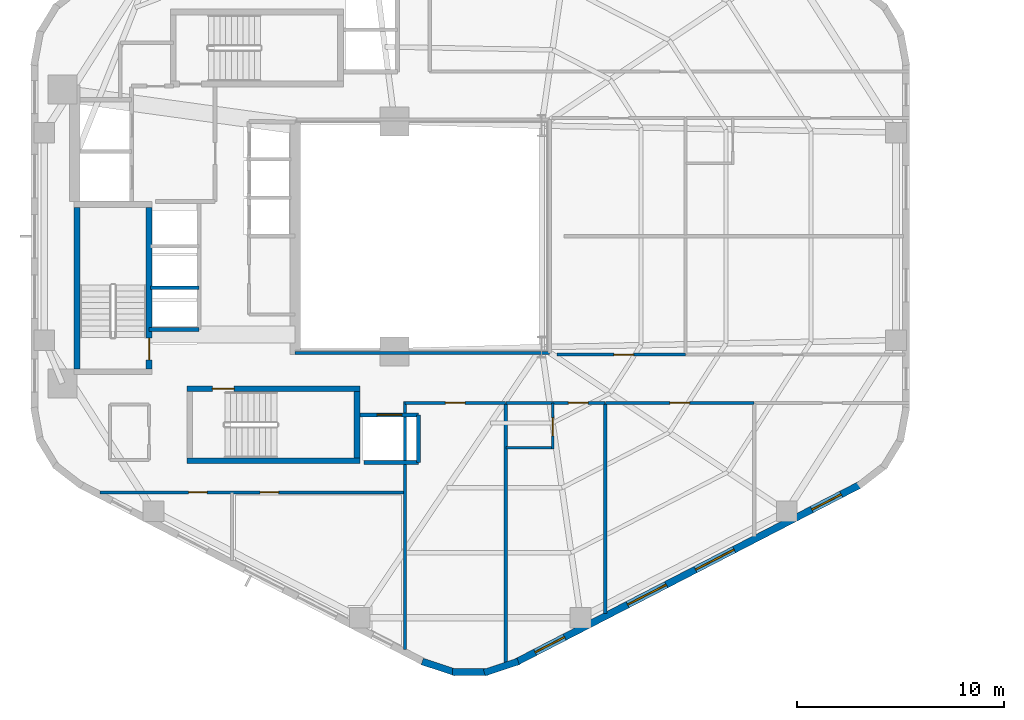
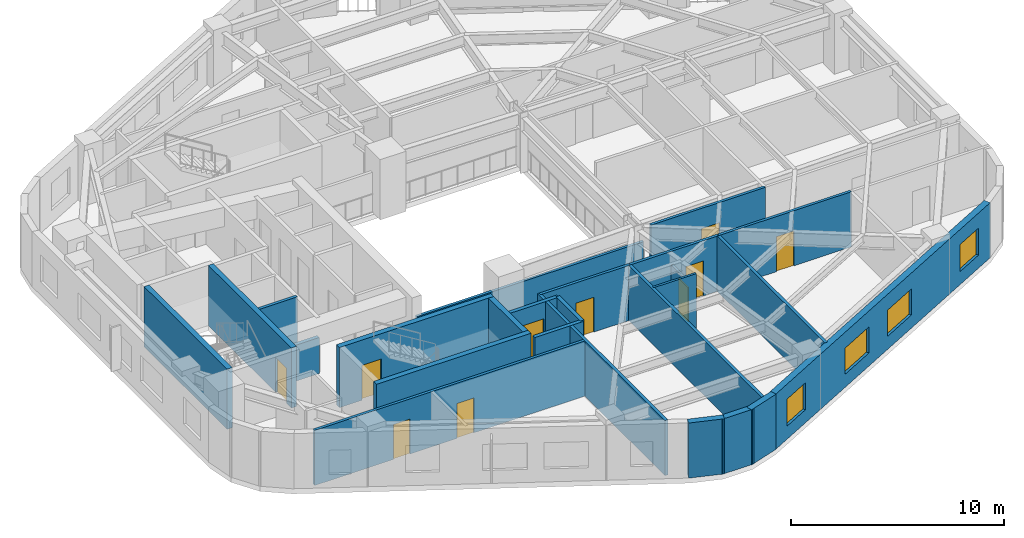
# One storey, part 5 of 10: 25 walls, 10 doors, 4 windows, 14 openings.
"""IFC4 building model written with IfcOpenShell, lengths in metres."""

from ifc_helpers import new_model, si_unit, direction, frame, frame_2d, origin, place, context, subcontext, project, spatial, rectangle, extrude, material, layer, layer_set, type_object, element, fill, save


model = new_model("IFC4")

# Units and contexts
model_context = context("Model", 3, precision=1e-05, world=origin(), true_north=direction((0.0, 1.0)))
body_context = subcontext(model_context, "Body", "Model", "MODEL_VIEW")
ifc_project = project(units=[si_unit("LENGTHUNIT", "METRE"), si_unit("AREAUNIT", "SQUARE_METRE"), si_unit("VOLUMEUNIT", "CUBIC_METRE"), si_unit("PLANEANGLEUNIT", "RADIAN"), si_unit("MASSUNIT", "GRAM", prefix="KILO"), si_unit("THERMODYNAMICTEMPERATUREUNIT", "KELVIN"), si_unit("POWERUNIT", "WATT")], contexts=[model_context])

# Site, building, storey
site_placement = place(None, origin())
site = spatial("IfcSite", under=ifc_project, at=site_placement, CompositionType="ELEMENT")
building_placement = place(site_placement, origin())
building = spatial("IfcBuilding", under=site, at=building_placement, Name="Skarre Station Tower", CompositionType="ELEMENT")
storey_placement = place(building_placement, frame((0.0, 0.0, 115.35009765625)))
storey = spatial("IfcBuildingStorey", under=building, at=storey_placement, Name="L30", CompositionType="ELEMENT", Elevation=115.35009765625)

# Wall
ifc_material_1 = material(Name="Acoustic Steel-Stud Gypsum Partition", Category="steel")
ifc_layer_1 = layer(ifc_material_1, 0.14990234375, Name="Acoustic Steel-Stud Gypsum Partition")
ifc_layer_set_1 = layer_set([ifc_layer_1], Name="Acoustic Steel-Stud Gypsum Partition")
wall_type_1 = type_object("IfcWallType", Name="Fire-Rated Corridor Acoustic Partition 150", PredefinedType="PARTITIONING", material=ifc_layer_set_1)
wall_1_placement = place(storey_placement, frame((27.550048828125, 18.360107421875, 0.0), z_axis=(0.0, 0.0, 1.0), x_axis=(1.0, 0.0, 0.0)))
element("IfcWall", 1, at=wall_1_placement, inside=storey, type_object=wall_type_1, Name="L30 Interior Partition WL-PT-L30-ATRW-S", PredefinedType="PARTITIONING", context=body_context, shape_type="SweptSolid", body=[
    extrude(rectangle(XDim=12.2900390625, YDim=0.14990234375, at=frame_2d((6.14501953125, 0.0))), origin(), (0.0, 0.0, 1.0), 2.30078125),
])

# Wall, openings, doors
wall_2_placement = place(storey_placement, frame((18.1259765625, 11.639892578125, 0.0), z_axis=(0.0, 0.0, 1.0), x_axis=(1.0, 0.0, 0.0)))
wall_2 = element("IfcWall", 2, at=wall_2_placement, inside=storey, type_object=wall_type_1, Name="L30 Interior Partition WL-PT-L30-SWP-N", PredefinedType="PARTITIONING", context=body_context, shape_type="SweptSolid", body=[
    extrude(rectangle(XDim=14.72412109375, YDim=0.14990234375, at=frame_2d((7.362060546875, 0.0))), origin(), (0.0, 0.0, 1.0), 3.159912109375),
])
opening_1_placement = place(wall_2_placement, frame((4.27392578125, 0.0, 0.0)))
opening_1 = element("IfcOpeningElement", 3, at=opening_1_placement, cuts=wall_2, Name="Opening DR-SVC90", PredefinedType="OPENING", context=body_context, shape_type="SweptSolid", body=[
    extrude(rectangle(XDim=0.89990234375, YDim=2.0, at=frame_2d((0.449951171875, 1.0))), frame((0.0, 0.0849609375, 0.0), z_axis=(0.0, -1.0, 0.0), x_axis=(1.0, 0.0, 0.0)), (0.0, 0.0, 1.0), 0.169921875),
])
opening_2_placement = place(wall_2_placement, frame((7.72412109375, 0.0, 0.0)))
opening_2 = element("IfcOpeningElement", 4, at=opening_2_placement, cuts=wall_2, Name="Opening DR-SVC90", PredefinedType="OPENING", context=body_context, shape_type="SweptSolid", body=[
    extrude(rectangle(XDim=0.89990234375, YDim=2.0, at=frame_2d((0.449951171875, 1.0))), frame((0.0, 0.0849609375, 0.0), z_axis=(0.0, -1.0, 0.0), x_axis=(1.0, 0.0, 0.0)), (0.0, 0.0, 1.0), 0.169921875),
])
ifc_material_2 = material(Name="Powder-Coated Hollow-Metal Acoustic Fire Leaf", Category="steel")
door_type_1 = type_object("IfcDoorType", Name="Service & Riser Fire Door FD60 900x2100", OperationType="SINGLE_SWING_LEFT", PredefinedType="DOOR", material=ifc_material_2)
door_1_placement = place(opening_1_placement, origin())
door_1 = element("IfcDoor", 5, at=door_1_placement, inside=storey, type_object=door_type_1, Name="L30 Floor Public Toilets Door", OperationType="SINGLE_SWING_LEFT", OverallHeight=2.0, OverallWidth=0.89990234375, PredefinedType="DOOR", context=body_context, shape_type="SweptSolid", body=[
    extrude(rectangle(XDim=0.89990234375, YDim=2.0, at=frame_2d((0.449951171875, 1.0))), frame((0.0, 0.02490234375, 0.0), z_axis=(0.0, -1.0, 0.0), x_axis=(1.0, 0.0, 0.0)), (0.0, 0.0, 1.0), 0.050048828125),
])
fill(opening_1, door_1)
door_2_placement = place(opening_2_placement, origin())
door_2 = element("IfcDoor", 6, at=door_2_placement, inside=storey, type_object=door_type_1, Name="L30 Housekeeping Room Door", OperationType="SINGLE_SWING_LEFT", OverallHeight=2.0, OverallWidth=0.89990234375, PredefinedType="DOOR", context=body_context, shape_type="SweptSolid", body=[
    extrude(rectangle(XDim=0.89990234375, YDim=2.0, at=frame_2d((0.449951171875, 1.0))), frame((0.0, 0.02490234375, 0.0), z_axis=(0.0, -1.0, 0.0), x_axis=(1.0, 0.0, 0.0)), (0.0, 0.0, 1.0), 0.050048828125),
])
fill(opening_2, door_2)

# Wall, opening, door
wall_3_placement = place(storey_placement, frame((46.39306640625, 18.2900390625, 0.0), z_axis=(0.0, 0.0, 1.0), x_axis=(-1.0, 0.0, 0.0)))
wall_3 = element("IfcWall", 7, at=wall_3_placement, inside=storey, type_object=wall_type_1, Name="L30 Interior Partition WL-PT-L30-EWS1-CW", PredefinedType="PARTITIONING", context=body_context, shape_type="SweptSolid", body=[
    extrude(rectangle(XDim=6.193115234375, YDim=0.14990234375, at=frame_2d((3.0966796875, 0.0))), origin(), (0.0, 0.0, 1.0), 3.159912109375),
])
opening_3_placement = place(wall_3_placement, frame((2.49609375, 0.0, 0.0)))
opening_3 = element("IfcOpeningElement", 8, at=opening_3_placement, cuts=wall_3, Name="Opening DR-FD60", PredefinedType="OPENING", context=body_context, shape_type="SweptSolid", body=[
    extrude(rectangle(XDim=0.9599609375, YDim=2.0, at=frame_2d((0.47998046875, 1.0))), frame((0.0, 0.0849609375, 0.0), z_axis=(0.0, -1.0, 0.0), x_axis=(1.0, 0.0, 0.0)), (0.0, 0.0, 1.0), 0.169921875),
])
ifc_material_3 = material(Name="Nordic White-Oak Veneer Solid-Core Fire Leaf", Category="wood")
door_type_2 = type_object("IfcDoorType", Name="Corridor Suite Entry Fire Door FD60 960x2150", OperationType="SINGLE_SWING_LEFT", PredefinedType="DOOR", material=ifc_material_3)
door_3_placement = place(opening_3_placement, origin())
door_3 = element("IfcDoor", 9, at=door_3_placement, inside=storey, type_object=door_type_2, Name="L30 EWS1 Entry Door", OperationType="SINGLE_SWING_LEFT", OverallHeight=2.0, OverallWidth=0.9599609375, PredefinedType="DOOR", context=body_context, shape_type="SweptSolid", body=[
    extrude(rectangle(XDim=0.9599609375, YDim=2.0, at=frame_2d((0.47998046875, 1.0))), frame((0.0, 0.02490234375, 0.0), z_axis=(0.0, -1.0, 0.0), x_axis=(1.0, 0.0, 0.0)), (0.0, 0.0, 1.0), 0.050048828125),
])
fill(opening_3, door_3)

wall_4_placement = place(storey_placement, frame((32.85009765625, 15.9599609375, 0.0), z_axis=(0.0, 0.0, 1.0), x_axis=(1.0, 0.0, 0.0)))
wall_4 = element("IfcWall", 10, at=wall_4_placement, inside=storey, type_object=wall_type_1, Name="L30 Interior Partition WL-PT-L30-SW1-CW", PredefinedType="PARTITIONING", context=body_context, shape_type="SweptSolid", body=[
    extrude(rectangle(XDim=4.851806640625, YDim=0.14990234375, at=frame_2d((2.42578125, 0.0))), origin(), (0.0, 0.0, 1.0), 3.159912109375),
])
opening_4_placement = place(wall_4_placement, frame((1.946044921875, 0.0, 0.0)))
opening_4 = element("IfcOpeningElement", 11, at=opening_4_placement, cuts=wall_4, Name="Opening DR-FD60", PredefinedType="OPENING", context=body_context, shape_type="SweptSolid", body=[
    extrude(rectangle(XDim=0.9599609375, YDim=2.0, at=frame_2d((0.47998046875, 1.0))), frame((0.0, 0.0849609375, 0.0), z_axis=(0.0, -1.0, 0.0), x_axis=(1.0, 0.0, 0.0)), (0.0, 0.0, 1.0), 0.169921875),
])
door_4_placement = place(opening_4_placement, origin())
door_4 = element("IfcDoor", 12, at=door_4_placement, inside=storey, type_object=door_type_2, Name="L30 SW1 Entry Door", OperationType="SINGLE_SWING_LEFT", OverallHeight=2.0, OverallWidth=0.9599609375, PredefinedType="DOOR", context=body_context, shape_type="SweptSolid", body=[
    extrude(rectangle(XDim=0.9599609375, YDim=2.0, at=frame_2d((0.47998046875, 1.0))), frame((0.0, 0.02490234375, 0.0), z_axis=(0.0, -1.0, 0.0), x_axis=(1.0, 0.0, 0.0)), (0.0, 0.0, 1.0), 0.050048828125),
])
fill(opening_4, door_4)

wall_5_placement = place(storey_placement, frame((37.738037109375, 15.9599609375, 0.0), z_axis=(0.0, 0.0, 1.0), x_axis=(1.0, 0.0, 0.0)))
wall_5 = element("IfcWall", 13, at=wall_5_placement, inside=storey, type_object=wall_type_1, Name="L30 Interior Partition WL-PT-L30-SW2-CW", PredefinedType="PARTITIONING", context=body_context, shape_type="SweptSolid", body=[
    extrude(rectangle(XDim=4.762939453125, YDim=0.14990234375, at=frame_2d((2.38134765625, 0.0))), origin(), (0.0, 0.0, 1.0), 3.159912109375),
])
opening_5_placement = place(wall_5_placement, frame((3.001953125, 0.0, 0.0)))
opening_5 = element("IfcOpeningElement", 14, at=opening_5_placement, cuts=wall_5, Name="Opening DR-FD60", PredefinedType="OPENING", context=body_context, shape_type="SweptSolid", body=[
    extrude(rectangle(XDim=0.9599609375, YDim=2.0, at=frame_2d((0.47998046875, 1.0))), frame((0.0, 0.0849609375, 0.0), z_axis=(0.0, -1.0, 0.0), x_axis=(1.0, 0.0, 0.0)), (0.0, 0.0, 1.0), 0.169921875),
])
door_5_placement = place(opening_5_placement, origin())
door_5 = element("IfcDoor", 15, at=door_5_placement, inside=storey, type_object=door_type_2, Name="L30 SW2 Entry Door", OperationType="SINGLE_SWING_LEFT", OverallHeight=2.0, OverallWidth=0.9599609375, PredefinedType="DOOR", context=body_context, shape_type="SweptSolid", body=[
    extrude(rectangle(XDim=0.9599609375, YDim=2.0, at=frame_2d((0.47998046875, 1.0))), frame((0.0, 0.02490234375, 0.0), z_axis=(0.0, -1.0, 0.0), x_axis=(1.0, 0.0, 0.0)), (0.0, 0.0, 1.0), 0.050048828125),
])
fill(opening_5, door_5)

wall_6_placement = place(storey_placement, frame((42.537109375, 15.9599609375, 0.0), z_axis=(0.0, 0.0, 1.0), x_axis=(1.0, 0.0, 0.0)))
wall_6 = element("IfcWall", 16, at=wall_6_placement, inside=storey, type_object=wall_type_1, Name="L30 Interior Partition WL-PT-L30-SW3-CW", PredefinedType="PARTITIONING", context=body_context, shape_type="SweptSolid", body=[
    extrude(rectangle(XDim=7.163818359375, YDim=0.14990234375, at=frame_2d((3.58203125, 0.0))), origin(), (0.0, 0.0, 1.0), 3.159912109375),
])
opening_6_placement = place(wall_6_placement, frame((3.10205078125, 0.0, 0.0)))
opening_6 = element("IfcOpeningElement", 17, at=opening_6_placement, cuts=wall_6, Name="Opening DR-FD60", PredefinedType="OPENING", context=body_context, shape_type="SweptSolid", body=[
    extrude(rectangle(XDim=0.9599609375, YDim=2.0, at=frame_2d((0.47998046875, 1.0))), frame((0.0, 0.0849609375, 0.0), z_axis=(0.0, -1.0, 0.0), x_axis=(1.0, 0.0, 0.0)), (0.0, 0.0, 1.0), 0.169921875),
])
door_6_placement = place(opening_6_placement, origin())
door_6 = element("IfcDoor", 18, at=door_6_placement, inside=storey, type_object=door_type_2, Name="L30 SW3 Entry Door", OperationType="SINGLE_SWING_LEFT", OverallHeight=2.0, OverallWidth=0.9599609375, PredefinedType="DOOR", context=body_context, shape_type="SweptSolid", body=[
    extrude(rectangle(XDim=0.9599609375, YDim=2.0, at=frame_2d((0.47998046875, 1.0))), frame((0.0, 0.02490234375, 0.0), z_axis=(0.0, -1.0, 0.0), x_axis=(1.0, 0.0, 0.0)), (0.0, 0.0, 1.0), 0.050048828125),
])
fill(opening_6, door_6)

ifc_material_4 = material(Name="Insulated Timber-Stud Gypsum Partition", Category="wood")
ifc_layer_2 = layer(ifc_material_4, 0.1201171875, Name="Insulated Timber-Stud Gypsum Partition")
ifc_layer_set_2 = layer_set([ifc_layer_2], Name="Insulated Timber-Stud Gypsum Partition")
wall_type_2 = type_object("IfcWallType", Name="Internal Suite Acoustic Partition 120", PredefinedType="PARTITIONING", material=ifc_layer_set_2)
wall_7_placement = place(storey_placement, frame((39.998046875, 13.719970703125, 0.0), z_axis=(0.0, 0.0, 1.0), x_axis=(0.0, 1.0, 0.0)))
wall_7 = element("IfcWall", 19, at=wall_7_placement, inside=storey, type_object=wall_type_2, Name="L30 Interior Partition WL-PT-L30-SW2-EW2", PredefinedType="PARTITIONING", context=body_context, shape_type="SweptSolid", body=[
    extrude(rectangle(XDim=2.239990234375, YDim=0.1201171875, at=frame_2d((1.1201171875, 0.0))), origin(), (0.0, 0.0, 1.0), 2.389892578125),
])
opening_7_placement = place(wall_7_placement, frame((0.64990234375, 0.0, 0.0)))
opening_7 = element("IfcOpeningElement", 20, at=opening_7_placement, cuts=wall_7, Name="Opening DR-INT86", PredefinedType="OPENING", context=body_context, shape_type="SweptSolid", body=[
    extrude(rectangle(XDim=0.860107421875, YDim=2.0, at=frame_2d((0.43017578125, 1.0))), frame((0.0, 0.070068359375, 0.0), z_axis=(0.0, -1.0, 0.0), x_axis=(1.0, 0.0, 0.0)), (0.0, 0.0, 1.0), 0.14013671875),
])
ifc_material_5 = material(Name="Nordic Birch Acoustic Solid-Core Timber Leaf", Category="wood")
door_type_3 = type_object("IfcDoorType", Name="Internal En-Suite & Bedroom Door 860x2100", OperationType="SINGLE_SWING_LEFT", PredefinedType="DOOR", material=ifc_material_5)
door_7_placement = place(opening_7_placement, origin())
door_7 = element("IfcDoor", 21, at=door_7_placement, inside=storey, type_object=door_type_3, Name="L30 SW2 En-suite Door", OperationType="SINGLE_SWING_RIGHT", OverallHeight=2.0, OverallWidth=0.860107421875, PredefinedType="DOOR", context=body_context, shape_type="SweptSolid", body=[
    extrude(rectangle(XDim=0.860107421875, YDim=2.0, at=frame_2d((0.43017578125, 1.0))), frame((0.0, 0.02490234375, 0.0), z_axis=(0.0, -1.0, 0.0), x_axis=(1.0, 0.0, 0.0)), (0.0, 0.0, 1.0), 0.050048828125),
])
fill(opening_7, door_7)

# Wall
wall_8_placement = place(storey_placement, frame((37.738037109375, 13.780029296875, 0.0), z_axis=(0.0, 0.0, 1.0), x_axis=(1.0, 0.0, 0.0)))
element("IfcWall", 22, at=wall_8_placement, inside=storey, type_object=wall_type_2, Name="L30 Interior Partition WL-PT-L30-SW2-EW1", PredefinedType="PARTITIONING", context=body_context, shape_type="SweptSolid", body=[
    extrude(rectangle(XDim=2.320068359375, YDim=0.1201171875, at=frame_2d((1.16015625, 0.0))), origin(), (0.0, 0.0, 1.0), 3.159912109375),
])

# Wall, openings, windows
ifc_material_6 = material(Name="Precast concrete C45/55", Category="concrete")
ifc_layer_3 = layer(ifc_material_6, 0.340087890625, Name="Precast concrete C45/55")
ifc_layer_set_3 = layer_set([ifc_layer_3], Name="Precast concrete C45/55")
wall_type_3 = type_object("IfcWallType", Name="Nordic Honed Precast Facet Wall 340", PredefinedType="STANDARD", material=ifc_layer_set_3)
wall_9_placement = place(storey_placement, frame((54.8310546875, 12.010009765625, 0.0), z_axis=(0.0, 0.0, 1.0), x_axis=(-0.888613612362, -0.458656568606, 0.0)))
wall_9 = element("IfcWall", 23, at=wall_9_placement, inside=storey, type_object=wall_type_3, Name="L30 Facet 4 Nordic Precast Masonry Wall", PredefinedType="STANDARD", context=body_context, shape_type="SweptSolid", body=[
    extrude(rectangle(XDim=18.680908203125, YDim=0.340087890625, at=frame_2d((9.34033203125, 0.0))), origin(), (0.0, 0.0, 1.0), 3.159912109375),
])
opening_8_placement = place(wall_9_placement, frame((1.02294921875, 0.0, 0.75)))
opening_8 = element("IfcOpeningElement", 24, at=opening_8_placement, cuts=wall_9, Name="Opening WN-Z2A", PredefinedType="OPENING", context=body_context, shape_type="SweptSolid", body=[
    extrude(rectangle(XDim=1.60009765625, YDim=1.550048828125, at=frame_2d((0.800048828125, 0.77490234375))), frame((0.0, 0.179931640625, 0.0), z_axis=(0.0, -1.0, 0.0), x_axis=(1.0, 0.0, 0.0)), (0.0, 0.0, 1.0), 0.360107421875),
])
opening_9_placement = place(wall_9_placement, frame((6.847900390625, 0.0, 0.75)))
opening_9 = element("IfcOpeningElement", 25, at=opening_9_placement, cuts=wall_9, Name="Opening WN-Z2B", PredefinedType="OPENING", context=body_context, shape_type="SweptSolid", body=[
    extrude(rectangle(XDim=2.10009765625, YDim=1.5, at=frame_2d((1.050048828125, 0.75))), frame((0.0, 0.179931640625, 0.0), z_axis=(0.0, -1.0, 0.0), x_axis=(1.0, 0.0, 0.0)), (0.0, 0.0, 1.0), 0.360107421875),
])
opening_10_placement = place(wall_9_placement, frame((10.535888671875, 0.0, 0.75)))
opening_10 = element("IfcOpeningElement", 26, at=opening_10_placement, cuts=wall_9, Name="Opening WN-Z2B", PredefinedType="OPENING", context=body_context, shape_type="SweptSolid", body=[
    extrude(rectangle(XDim=2.10009765625, YDim=1.5, at=frame_2d((1.050048828125, 0.75))), frame((0.0, 0.179931640625, 0.0), z_axis=(0.0, -1.0, 0.0), x_axis=(1.0, 0.0, 0.0)), (0.0, 0.0, 1.0), 0.360107421875),
])
opening_11_placement = place(wall_9_placement, frame((16.05810546875, 0.0, 0.75)))
opening_11 = element("IfcOpeningElement", 27, at=opening_11_placement, cuts=wall_9, Name="Opening WN-Z2A", PredefinedType="OPENING", context=body_context, shape_type="SweptSolid", body=[
    extrude(rectangle(XDim=1.60009765625, YDim=1.550048828125, at=frame_2d((0.800048828125, 0.77490234375))), frame((0.0, 0.179931640625, 0.0), z_axis=(0.0, -1.0, 0.0), x_axis=(1.0, 0.0, 0.0)), (0.0, 0.0, 1.0), 0.360107421875),
])
ifc_material_7 = material(Name="Low-Iron Triple Glazing with Bronze Anodized Frame", Category="glass")
window_type_1 = type_object("IfcWindowType", Name="Nordic Residential Tall Window 1600x1550", PartitioningType="SINGLE_PANEL", PredefinedType="WINDOW", material=ifc_material_7)
window_1_placement = place(opening_8_placement, origin())
window_1 = element("IfcWindow", 28, at=window_1_placement, inside=storey, type_object=window_type_1, Name="L30 Facade Window WL-FAC-L30-F4-1", OverallHeight=1.550048828125, OverallWidth=1.60009765625, PartitioningType="SINGLE_PANEL", PredefinedType="WINDOW", context=body_context, shape_type="SweptSolid", body=[
    extrude(rectangle(XDim=1.60009765625, YDim=1.550048828125, at=frame_2d((0.800048828125, 0.77490234375))), frame((0.0, 0.030029296875, 0.0), z_axis=(0.0, -1.0, 0.0), x_axis=(1.0, 0.0, 0.0)), (0.0, 0.0, 1.0), 0.06005859375),
])
fill(opening_8, window_1)
window_2_placement = place(opening_11_placement, origin())
window_2 = element("IfcWindow", 29, at=window_2_placement, inside=storey, type_object=window_type_1, Name="L30 Facade Window WL-FAC-L30-F4-4", OverallHeight=1.550048828125, OverallWidth=1.60009765625, PartitioningType="SINGLE_PANEL", PredefinedType="WINDOW", context=body_context, shape_type="SweptSolid", body=[
    extrude(rectangle(XDim=1.60009765625, YDim=1.550048828125, at=frame_2d((0.800048828125, 0.77490234375))), frame((0.0, 0.030029296875, 0.0), z_axis=(0.0, -1.0, 0.0), x_axis=(1.0, 0.0, 0.0)), (0.0, 0.0, 1.0), 0.06005859375),
])
fill(opening_11, window_2)
window_type_2 = type_object("IfcWindowType", Name="Nordic Residential Twin Window 2100x1500", PartitioningType="SINGLE_PANEL", PredefinedType="WINDOW", material=ifc_material_7)
window_3_placement = place(opening_9_placement, origin())
window_3 = element("IfcWindow", 30, at=window_3_placement, inside=storey, type_object=window_type_2, Name="L30 Facade Window WL-FAC-L30-F4-2", OverallHeight=1.5, OverallWidth=2.10009765625, PartitioningType="SINGLE_PANEL", PredefinedType="WINDOW", context=body_context, shape_type="SweptSolid", body=[
    extrude(rectangle(XDim=2.10009765625, YDim=1.5, at=frame_2d((1.050048828125, 0.75))), frame((0.0, 0.030029296875, 0.0), z_axis=(0.0, -1.0, 0.0), x_axis=(1.0, 0.0, 0.0)), (0.0, 0.0, 1.0), 0.06005859375),
])
fill(opening_9, window_3)
window_4_placement = place(opening_10_placement, origin())
window_4 = element("IfcWindow", 31, at=window_4_placement, inside=storey, type_object=window_type_2, Name="L30 Facade Window WL-FAC-L30-F4-3", OverallHeight=1.5, OverallWidth=2.10009765625, PartitioningType="SINGLE_PANEL", PredefinedType="WINDOW", context=body_context, shape_type="SweptSolid", body=[
    extrude(rectangle(XDim=2.10009765625, YDim=1.5, at=frame_2d((1.050048828125, 0.75))), frame((0.0, 0.030029296875, 0.0), z_axis=(0.0, -1.0, 0.0), x_axis=(1.0, 0.0, 0.0)), (0.0, 0.0, 1.0), 0.06005859375),
])
fill(opening_10, window_4)

# Walls
ifc_layer_4 = layer(ifc_material_6, 0.330078125, Name="Precast concrete C45/55")
ifc_layer_set_4 = layer_set([ifc_layer_4], Name="Precast concrete C45/55")
wall_type_4 = type_object("IfcWallType", Name="Nordic Rounded Corner Precast Wall 330", PredefinedType="STANDARD", material=ifc_layer_set_4)
for number, where, z_axis, x_axis, name in (
    (32, (38.319091796875, 3.468017578125, 0.0), (0.0, 0.0, 1.0), (-0.949937416267, -0.312440242569, 0.0), "L30 Rounded Corner Precast Wall F4-1"),
    (33, (36.861083984375, 2.958984375, 0.0), (0.0, 0.0, 1.0), (-1.0, 0.0, 0.0), "L30 Rounded Corner Precast Wall F4-2"),
    (34, (35.31689453125, 2.929931640625, 0.0), (0.0, 0.0, 1.0), (-0.949937416267, 0.312440242569, 0.0), "L30 Rounded Corner Precast Wall F4-3"),
):
    element("IfcWall", number, at=place(storey_placement, frame(where, z_axis=z_axis, x_axis=x_axis)), inside=storey, type_object=wall_type_4, Name=name, PredefinedType="STANDARD", context=body_context, shape_type="SweptSolid", body=[
        extrude(rectangle(XDim=1.72216796875, YDim=0.330078125, at=frame_2d((0.861083984375, 0.0))), origin(), (0.0, 0.0, 1.0), 3.159912109375),
    ])
ifc_material_8 = material(Name="Concrete C50/60", Category="concrete")
ifc_layer_5 = layer(ifc_material_8, 0.280029296875, Name="Concrete C50/60")
ifc_layer_set_5 = layer_set([ifc_layer_5], Name="Concrete C50/60")
wall_type_5 = type_object("IfcWallType", Name="RC Core Shear Wall 280", PredefinedType="SHEAR", material=ifc_layer_set_5)
wall_10_placement = place(storey_placement, frame((17.010009765625, 25.39990234375, 0.0), z_axis=(0.0, 0.0, 1.0), x_axis=(0.0, -1.0, 0.0)))
element("IfcWall", 35, at=wall_10_placement, inside=storey, type_object=wall_type_5, Name="L30 Stair ST-1 West Shear Wall", PredefinedType="SHEAR", context=body_context, shape_type="SweptSolid", body=[
    extrude(rectangle(XDim=7.7998046875, YDim=0.280029296875, at=frame_2d((3.89990234375, 0.0))), origin(), (0.0, 0.0, 1.0), 3.449951171875),
])

# Wall, opening, door
wall_11_placement = place(storey_placement, frame((20.489990234375, 17.60009765625, 0.0), z_axis=(0.0, 0.0, 1.0), x_axis=(0.0, 1.0, 0.0)))
wall_11 = element("IfcWall", 36, at=wall_11_placement, inside=storey, type_object=wall_type_5, Name="L30 Stair ST-1 East Shear Wall", PredefinedType="SHEAR", context=body_context, shape_type="SweptSolid", body=[
    extrude(rectangle(XDim=7.7998046875, YDim=0.280029296875, at=frame_2d((3.89990234375, 0.0))), origin(), (0.0, 0.0, 1.0), 3.449951171875),
])
opening_12_placement = place(wall_11_placement, frame((0.43994140625, 0.0, 0.0)))
opening_12 = element("IfcOpeningElement", 37, at=opening_12_placement, cuts=wall_11, Name="Opening DR-FD90", PredefinedType="OPENING", context=body_context, shape_type="SweptSolid", body=[
    extrude(rectangle(XDim=1.050048828125, YDim=2.0, at=frame_2d((0.52490234375, 1.0))), frame((0.0, 0.14990234375, 0.0), z_axis=(0.0, -1.0, 0.0), x_axis=(1.0, 0.0, 0.0)), (0.0, 0.0, 1.0), 0.300048828125),
])
ifc_material_9 = material(Name="Fire-Rated Insulated Steel Frame & Timber Core Leaf", Category="steel")
door_type_4 = type_object("IfcDoorType", Name="Stair & FSAE Lobby Fire Door FD90 1050x2150", OperationType="SINGLE_SWING_RIGHT", PredefinedType="DOOR", material=ifc_material_9)
door_8_placement = place(opening_12_placement, origin())
door_8 = element("IfcDoor", 38, at=door_8_placement, inside=storey, type_object=door_type_4, Name="L30 Stair ST-1 Exit Door", OperationType="SINGLE_SWING_RIGHT", OverallHeight=2.0, OverallWidth=1.050048828125, PredefinedType="DOOR", context=body_context, shape_type="SweptSolid", body=[
    extrude(rectangle(XDim=1.050048828125, YDim=2.0, at=frame_2d((0.52490234375, 1.0))), frame((0.0, 0.02490234375, 0.0), z_axis=(0.0, -1.0, 0.0), x_axis=(1.0, 0.0, 0.0)), (0.0, 0.0, 1.0), 0.050048828125),
])
fill(opening_12, door_8)

# Wall
wall_12_placement = place(storey_placement, frame((22.320068359375, 13.159912109375, 0.0), z_axis=(0.0, 0.0, 1.0), x_axis=(1.0, 0.0, 0.0)))
element("IfcWall", 39, at=wall_12_placement, inside=storey, type_object=wall_type_5, Name="L30 Stair ST-2 South Shear Wall", PredefinedType="SHEAR", context=body_context, shape_type="SweptSolid", body=[
    extrude(rectangle(XDim=8.35986328125, YDim=0.280029296875, at=frame_2d((4.179931640625, 0.0))), origin(), (0.0, 0.0, 1.0), 3.449951171875),
])

# Wall, opening, door
wall_13_placement = place(storey_placement, frame((30.679931640625, 16.639892578125, 0.0), z_axis=(0.0, 0.0, 1.0), x_axis=(-1.0, 0.0, 0.0)))
wall_13 = element("IfcWall", 40, at=wall_13_placement, inside=storey, type_object=wall_type_5, Name="L30 Stair ST-2 North Shear Wall", PredefinedType="SHEAR", context=body_context, shape_type="SweptSolid", body=[
    extrude(rectangle(XDim=8.35986328125, YDim=0.280029296875, at=frame_2d((4.179931640625, 0.0))), origin(), (0.0, 0.0, 1.0), 3.449951171875),
])
opening_13_placement = place(wall_13_placement, frame((6.080078125, 0.0, 0.0)))
opening_13 = element("IfcOpeningElement", 41, at=opening_13_placement, cuts=wall_13, Name="Opening DR-FD90", PredefinedType="OPENING", context=body_context, shape_type="SweptSolid", body=[
    extrude(rectangle(XDim=1.050048828125, YDim=2.0, at=frame_2d((0.52490234375, 1.0))), frame((0.0, 0.14990234375, 0.0), z_axis=(0.0, -1.0, 0.0), x_axis=(1.0, 0.0, 0.0)), (0.0, 0.0, 1.0), 0.300048828125),
])
door_9_placement = place(opening_13_placement, origin())
door_9 = element("IfcDoor", 42, at=door_9_placement, inside=storey, type_object=door_type_4, Name="L30 Stair ST-2 Exit Door", OperationType="SINGLE_SWING_RIGHT", OverallHeight=2.0, OverallWidth=1.050048828125, PredefinedType="DOOR", context=body_context, shape_type="SweptSolid", body=[
    extrude(rectangle(XDim=1.050048828125, YDim=2.0, at=frame_2d((0.52490234375, 1.0))), frame((0.0, 0.02490234375, 0.0), z_axis=(0.0, -1.0, 0.0), x_axis=(1.0, 0.0, 0.0)), (0.0, 0.0, 1.0), 0.050048828125),
])
fill(opening_13, door_9)

# Wall
wall_14_placement = place(storey_placement, frame((30.5400390625, 13.300048828125, 0.0), z_axis=(0.0, 0.0, 1.0), x_axis=(0.0, 1.0, 0.0)))
element("IfcWall", 43, at=wall_14_placement, inside=storey, type_object=wall_type_5, Name="L30 Stair ST-2 East Shear Wall", PredefinedType="SHEAR", context=body_context, shape_type="SweptSolid", body=[
    extrude(rectangle(XDim=3.199951171875, YDim=0.280029296875, at=frame_2d((1.60009765625, 0.0))), origin(), (0.0, 0.0, 1.0), 3.449951171875),
])

# Wall, opening, door
ifc_material_10 = material(Name="Gypsum Concrete Shaft Assembly C30/37", Category="concrete")
ifc_layer_6 = layer(ifc_material_10, 0.199951171875, Name="Gypsum Concrete Shaft Assembly C30/37")
ifc_layer_set_6 = layer_set([ifc_layer_6], Name="Gypsum Concrete Shaft Assembly C30/37")
wall_type_6 = type_object("IfcWallType", Name="Shaft & Core Fire Partition 200", PredefinedType="PARTITIONING", material=ifc_layer_set_6)
wall_15_placement = place(storey_placement, frame((33.5, 15.3798828125, 0.0), z_axis=(0.0, 0.0, 1.0), x_axis=(-1.0, 0.0, 0.0)))
wall_15 = element("IfcWall", 44, at=wall_15_placement, inside=storey, type_object=wall_type_6, Name="L30 Interior Partition WL-PT-L30-SV1-N", PredefinedType="PARTITIONING", context=body_context, shape_type="SweptSolid", body=[
    extrude(rectangle(XDim=2.820068359375, YDim=0.199951171875, at=frame_2d((1.41015625, 0.0))), origin(), (0.0, 0.0, 1.0), 3.159912109375),
])
opening_14_placement = place(wall_15_placement, frame((0.800048828125, 0.0, 0.0)))
opening_14 = element("IfcOpeningElement", 45, at=opening_14_placement, cuts=wall_15, Name="Opening LD-SV1", PredefinedType="OPENING", context=body_context, shape_type="SweptSolid", body=[
    extrude(rectangle(XDim=1.199951171875, YDim=2.199951171875, at=frame_2d((0.60009765625, 1.10009765625))), frame((0.0, 0.10986328125, 0.0), z_axis=(0.0, -1.0, 0.0), x_axis=(1.0, 0.0, 0.0)), (0.0, 0.0, 1.0), 0.219970703125),
])
ifc_material_11 = material(Name="Heavy-Gauge Brushed Stainless Steel Sliding Leaves", Category="steel")
door_type_5 = type_object("IfcDoorType", Name="Service Elevator Wide Sliding Landing Door 1200x2200", OperationType="SLIDING_TO_RIGHT", PredefinedType="DOOR", material=ifc_material_11)
door_10_placement = place(opening_14_placement, origin())
door_10 = element("IfcDoor", 46, at=door_10_placement, inside=storey, type_object=door_type_5, Name="L30 Service Lift LF-SV1 Landing Door", OperationType="SLIDING_TO_RIGHT", OverallHeight=2.199951171875, OverallWidth=1.199951171875, PredefinedType="DOOR", context=body_context, shape_type="SweptSolid", body=[
    extrude(rectangle(XDim=1.199951171875, YDim=2.199951171875, at=frame_2d((0.60009765625, 1.10009765625))), frame((0.0, 0.02490234375, 0.0), z_axis=(0.0, -1.0, 0.0), x_axis=(1.0, 0.0, 0.0)), (0.0, 0.0, 1.0), 0.050048828125),
])
fill(opening_14, door_10)

# Walls
wall_16_placement = place(storey_placement, frame((33.5, 13.080078125, 0.0), z_axis=(0.0, 0.0, 1.0), x_axis=(0.0, 1.0, 0.0)))
element("IfcWall", 47, at=wall_16_placement, inside=storey, type_object=wall_type_6, Name="L30 Interior Partition WL-PT-L30-SV1-E", PredefinedType="PARTITIONING", context=body_context, shape_type="SweptSolid", body=[
    extrude(rectangle(XDim=2.2998046875, YDim=0.199951171875, at=frame_2d((1.14990234375, 0.0))), origin(), (0.0, 0.0, 1.0), 3.159912109375),
])
wall_17_placement = place(storey_placement, frame((30.87890625, 13.080078125, 0.0), z_axis=(0.0, 0.0, 1.0), x_axis=(1.0, 0.0, 0.0)))
element("IfcWall", 48, at=wall_17_placement, inside=storey, type_object=wall_type_6, Name="L30 Interior Partition WL-PT-L30-SV1-S", PredefinedType="PARTITIONING", context=body_context, shape_type="SweptSolid", body=[
    extrude(rectangle(XDim=2.62109375, YDim=0.199951171875, at=frame_2d((1.310546875, 0.0))), origin(), (0.0, 0.0, 1.0), 3.159912109375),
])
wall_18_placement = place(storey_placement, frame((20.489990234375, 19.5, 0.0), z_axis=(0.0, 0.0, 1.0), x_axis=(1.0, 0.0, 0.0)))
element("IfcWall", 49, at=wall_18_placement, inside=storey, type_object=wall_type_6, Name="L30 Interior Partition WL-PT-L30-B3-S", PredefinedType="PARTITIONING", context=body_context, shape_type="SweptSolid", body=[
    extrude(rectangle(XDim=2.409912109375, YDim=0.199951171875, at=frame_2d((1.205078125, 0.0))), origin(), (0.0, 0.0, 1.0), 2.059814453125),
])
wall_19_placement = place(storey_placement, frame((20.550048828125, 21.52001953125, 0.0), z_axis=(0.0, 0.0, 1.0), x_axis=(1.0, 0.0, 0.0)))
element("IfcWall", 50, at=wall_19_placement, inside=storey, type_object=wall_type_6, Name="L30 Interior Partition WL-PT-L30-B3-D1", PredefinedType="PARTITIONING", context=body_context, shape_type="SweptSolid", body=[
    extrude(rectangle(XDim=2.349853515625, YDim=0.159912109375, at=frame_2d((1.1748046875, 0.0))), origin(), (0.0, 0.0, 1.0), 3.159912109375),
])
ifc_layer_7 = layer(ifc_material_1, 0.1650390625, Name="Acoustic Steel-Stud Gypsum Partition")
ifc_layer_set_7 = layer_set([ifc_layer_7], Name="Acoustic Steel-Stud Gypsum Partition")
wall_type_7 = type_object("IfcWallType", Name="Suite Demising Acoustic Partition 165", PredefinedType="PARTITIONING", material=ifc_layer_set_7)
wall_20_placement = place(storey_placement, frame((32.85009765625, 4.0400390625, 0.0), z_axis=(0.0, 0.0, 1.0), x_axis=(0.0, 1.0, 0.0)))
element("IfcWall", 51, at=wall_20_placement, inside=storey, type_object=wall_type_7, Name="L30 Interior Partition WL-PT-L30-SWP-E", PredefinedType="PARTITIONING", context=body_context, shape_type="SweptSolid", body=[
    extrude(rectangle(XDim=11.989990234375, YDim=0.1650390625, at=frame_2d((5.9951171875, 0.0))), origin(), (0.0, 0.0, 1.0), 3.159912109375),
])
wall_21_placement = place(storey_placement, frame((37.719970703125, 3.403076171875, 0.0), z_axis=(0.0, 0.0, 1.0), x_axis=(0.0, 1.0, 0.0)))
element("IfcWall", 52, at=wall_21_placement, inside=storey, type_object=wall_type_7, Name="L30 Interior Partition WL-PT-L30-SW-P1", PredefinedType="PARTITIONING", context=body_context, shape_type="SweptSolid", body=[
    extrude(rectangle(XDim=12.52685546875, YDim=0.1650390625, at=frame_2d((6.263427734375, 0.0))), origin(), (0.0, 0.0, 1.0), 3.159912109375),
])
wall_22_placement = place(storey_placement, frame((42.51904296875, 5.7900390625, 0.0), z_axis=(0.0, 0.0, 1.0), x_axis=(0.0, 1.0, 0.0)))
element("IfcWall", 53, at=wall_22_placement, inside=storey, type_object=wall_type_7, Name="L30 Interior Partition WL-PT-L30-SW-P2", PredefinedType="PARTITIONING", context=body_context, shape_type="SweptSolid", body=[
    extrude(rectangle(XDim=10.139892578125, YDim=0.1650390625, at=frame_2d((5.06982421875, 0.0))), origin(), (0.0, 0.0, 1.0), 3.159912109375),
])

save(model, "model.ifc")
